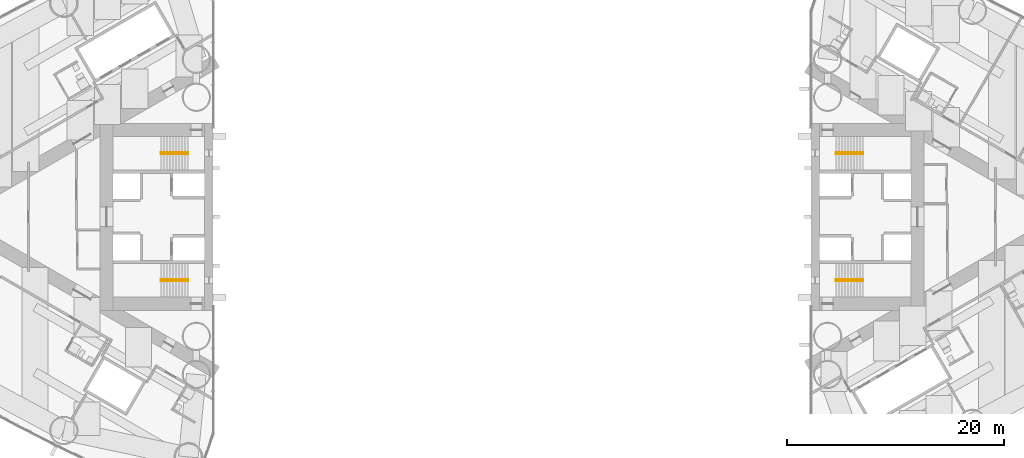
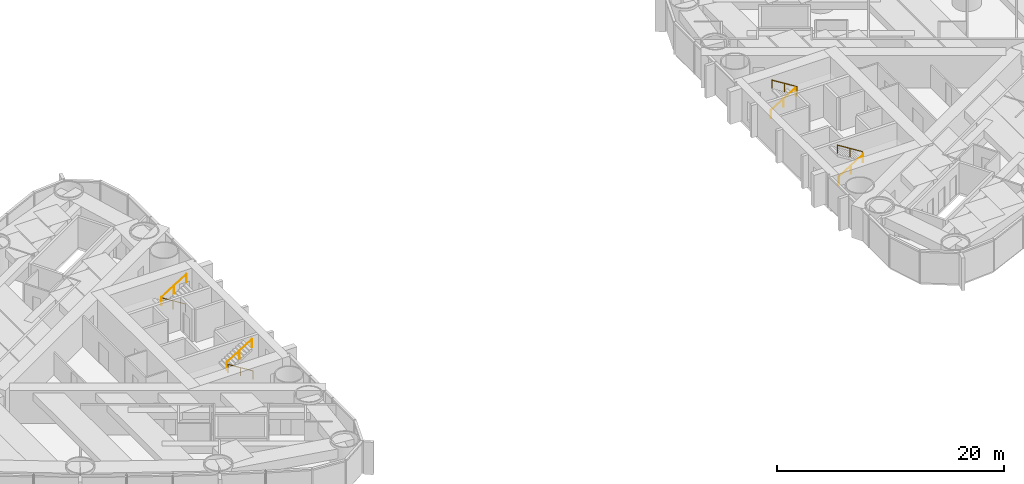
# One storey, part 17 of 18: 8 railings.
"""IFC4 building model written with IfcOpenShell, lengths in metres."""

from ifc_helpers import new_model, si_unit, direction, frame, origin, origin_2d, place, context, subcontext, project, spatial, circle, extrude, material, type_object, element, save


model = new_model("IFC4")

# Units and contexts
model_context = context("Model", 3, precision=1e-05, world=origin(), true_north=direction((0.0, 1.0)))
body_context = subcontext(model_context, "Body", "Model", "MODEL_VIEW")
ifc_project = project(units=[si_unit("LENGTHUNIT", "METRE"), si_unit("AREAUNIT", "SQUARE_METRE"), si_unit("VOLUMEUNIT", "CUBIC_METRE"), si_unit("PLANEANGLEUNIT", "RADIAN"), si_unit("MASSUNIT", "GRAM", prefix="KILO")], contexts=[model_context])

# Site, building, storey
site_placement = place(None, origin())
site = spatial("IfcSite", under=ifc_project, at=site_placement, CompositionType="ELEMENT")
building_placement = place(site_placement, origin())
building = spatial("IfcBuilding", under=site, at=building_placement, Name="Lancet Gate Hotel", CompositionType="ELEMENT")
storey_placement = place(building_placement, frame((0.0, 0.0, 136.10009765625)))
storey = spatial("IfcBuildingStorey", under=building, at=storey_placement, Name="L36", CompositionType="ELEMENT", Elevation=136.10009765625)

# Railings
ifc_material = material(Name="Stainless steel handrail", Category="steel")
railing_type = type_object("IfcRailingType", Name="Stair handrail 900", PredefinedType="HANDRAIL", material=ifc_material)
railing_1_placement = place(storey_placement, frame((-29.800048828125, 5.929931640625, 0.1748046875)))
element("IfcRailing", 1, at=railing_1_placement, inside=storey, type_object=railing_type, Name="ST1 handrail flight 1 L36", PredefinedType="HANDRAIL", context=body_context, shape_type="SweptSolid", body=[
    extrude(circle(Radius=0.02392578125, at=origin_2d()), frame((0.0, 0.0, 0.8759765625), z_axis=(-0.847970611238, 0.0, 0.530043245855), x_axis=(0.0, -1.0, 0.0)), (0.0, 0.0, 1.0), 2.971923828125),
    extrude(circle(Radius=0.02099609375, at=origin_2d()), origin(), (0.0, 0.0, 1.0), 0.851806640625),
    extrude(circle(Radius=0.02099609375, at=origin_2d()), frame((-1.260009765625, 0.0, 0.78759765625)), (0.0, 0.0, 1.0), 0.851806640625),
    extrude(circle(Radius=0.02099609375, at=origin_2d()), frame((-2.52001953125, 0.0, 1.5751953125)), (0.0, 0.0, 1.0), 0.851806640625),
])
railing_2_placement = place(storey_placement, frame((-32.320068359375, 5.77001953125, 1.9248046875)))
element("IfcRailing", 2, at=railing_2_placement, inside=storey, type_object=railing_type, Name="ST1 handrail flight 2 L36", PredefinedType="HANDRAIL", context=body_context, shape_type="SweptSolid", body=[
    extrude(circle(Radius=0.02392578125, at=origin_2d()), frame((0.0, 0.0, 0.8759765625), z_axis=(0.847970611238, 0.0, 0.530043245855), x_axis=(0.0, 1.0, 0.0)), (0.0, 0.0, 1.0), 2.971923828125),
    extrude(circle(Radius=0.02099609375, at=origin_2d()), origin(), (0.0, 0.0, 1.0), 0.851806640625),
    extrude(circle(Radius=0.02099609375, at=origin_2d()), frame((1.260009765625, 0.0, 0.78759765625)), (0.0, 0.0, 1.0), 0.851806640625),
    extrude(circle(Radius=0.02099609375, at=origin_2d()), frame((2.52001953125, 0.0, 1.5751953125)), (0.0, 0.0, 1.0), 0.851806640625),
])
railing_3_placement = place(storey_placement, frame((-29.800048828125, -5.929931640625, 0.1748046875)))
element("IfcRailing", 3, at=railing_3_placement, inside=storey, type_object=railing_type, Name="ST2 handrail flight 1 L36", PredefinedType="HANDRAIL", context=body_context, shape_type="SweptSolid", body=[
    extrude(circle(Radius=0.02392578125, at=origin_2d()), frame((0.0, 0.0, 0.8759765625), z_axis=(-0.847970611238, 0.0, 0.530043245855), x_axis=(0.0, -1.0, 0.0)), (0.0, 0.0, 1.0), 2.971923828125),
    extrude(circle(Radius=0.02099609375, at=origin_2d()), origin(), (0.0, 0.0, 1.0), 0.851806640625),
    extrude(circle(Radius=0.02099609375, at=origin_2d()), frame((-1.260009765625, 0.0, 0.78759765625)), (0.0, 0.0, 1.0), 0.851806640625),
    extrude(circle(Radius=0.02099609375, at=origin_2d()), frame((-2.52001953125, 0.0, 1.5751953125)), (0.0, 0.0, 1.0), 0.851806640625),
])
for number, where, name in (
    (4, (-32.320068359375, -5.77001953125, 1.9248046875), "ST2 handrail flight 2 L36"),
    (5, (29.800048828125, -5.929931640625, 0.1748046875), "ST3 handrail flight 1 L36"),
):
    element("IfcRailing", number, at=place(storey_placement, frame(where)), inside=storey, type_object=railing_type, Name=name, PredefinedType="HANDRAIL", context=body_context, shape_type="SweptSolid", body=[
        extrude(circle(Radius=0.02392578125, at=origin_2d()), frame((0.0, 0.0, 0.8759765625), z_axis=(0.847970611238, 0.0, 0.530043245855), x_axis=(0.0, 1.0, 0.0)), (0.0, 0.0, 1.0), 2.971923828125),
        extrude(circle(Radius=0.02099609375, at=origin_2d()), origin(), (0.0, 0.0, 1.0), 0.851806640625),
        extrude(circle(Radius=0.02099609375, at=origin_2d()), frame((1.260009765625, 0.0, 0.78759765625)), (0.0, 0.0, 1.0), 0.851806640625),
        extrude(circle(Radius=0.02099609375, at=origin_2d()), frame((2.52001953125, 0.0, 1.5751953125)), (0.0, 0.0, 1.0), 0.851806640625),
    ])
railing_4_placement = place(storey_placement, frame((32.320068359375, -5.77001953125, 1.9248046875)))
element("IfcRailing", 6, at=railing_4_placement, inside=storey, type_object=railing_type, Name="ST3 handrail flight 2 L36", PredefinedType="HANDRAIL", context=body_context, shape_type="SweptSolid", body=[
    extrude(circle(Radius=0.02392578125, at=origin_2d()), frame((0.0, 0.0, 0.8759765625), z_axis=(-0.847970611238, 0.0, 0.530043245855), x_axis=(0.0, -1.0, 0.0)), (0.0, 0.0, 1.0), 2.971923828125),
    extrude(circle(Radius=0.02099609375, at=origin_2d()), origin(), (0.0, 0.0, 1.0), 0.851806640625),
    extrude(circle(Radius=0.02099609375, at=origin_2d()), frame((-1.260009765625, 0.0, 0.78759765625)), (0.0, 0.0, 1.0), 0.851806640625),
    extrude(circle(Radius=0.02099609375, at=origin_2d()), frame((-2.52001953125, 0.0, 1.5751953125)), (0.0, 0.0, 1.0), 0.851806640625),
])
railing_5_placement = place(storey_placement, frame((29.800048828125, 5.929931640625, 0.1748046875)))
element("IfcRailing", 7, at=railing_5_placement, inside=storey, type_object=railing_type, Name="ST4 handrail flight 1 L36", PredefinedType="HANDRAIL", context=body_context, shape_type="SweptSolid", body=[
    extrude(circle(Radius=0.02392578125, at=origin_2d()), frame((0.0, 0.0, 0.8759765625), z_axis=(0.847970611238, 0.0, 0.530043245855), x_axis=(0.0, 1.0, 0.0)), (0.0, 0.0, 1.0), 2.971923828125),
    extrude(circle(Radius=0.02099609375, at=origin_2d()), origin(), (0.0, 0.0, 1.0), 0.851806640625),
    extrude(circle(Radius=0.02099609375, at=origin_2d()), frame((1.260009765625, 0.0, 0.78759765625)), (0.0, 0.0, 1.0), 0.851806640625),
    extrude(circle(Radius=0.02099609375, at=origin_2d()), frame((2.52001953125, 0.0, 1.5751953125)), (0.0, 0.0, 1.0), 0.851806640625),
])
railing_6_placement = place(storey_placement, frame((32.320068359375, 5.77001953125, 1.9248046875)))
element("IfcRailing", 8, at=railing_6_placement, inside=storey, type_object=railing_type, Name="ST4 handrail flight 2 L36", PredefinedType="HANDRAIL", context=body_context, shape_type="SweptSolid", body=[
    extrude(circle(Radius=0.02392578125, at=origin_2d()), frame((0.0, 0.0, 0.8759765625), z_axis=(-0.847970611238, 0.0, 0.530043245855), x_axis=(0.0, -1.0, 0.0)), (0.0, 0.0, 1.0), 2.971923828125),
    extrude(circle(Radius=0.02099609375, at=origin_2d()), origin(), (0.0, 0.0, 1.0), 0.851806640625),
    extrude(circle(Radius=0.02099609375, at=origin_2d()), frame((-1.260009765625, 0.0, 0.78759765625)), (0.0, 0.0, 1.0), 0.851806640625),
    extrude(circle(Radius=0.02099609375, at=origin_2d()), frame((-2.52001953125, 0.0, 1.5751953125)), (0.0, 0.0, 1.0), 0.851806640625),
])

save(model, "model.ifc")
